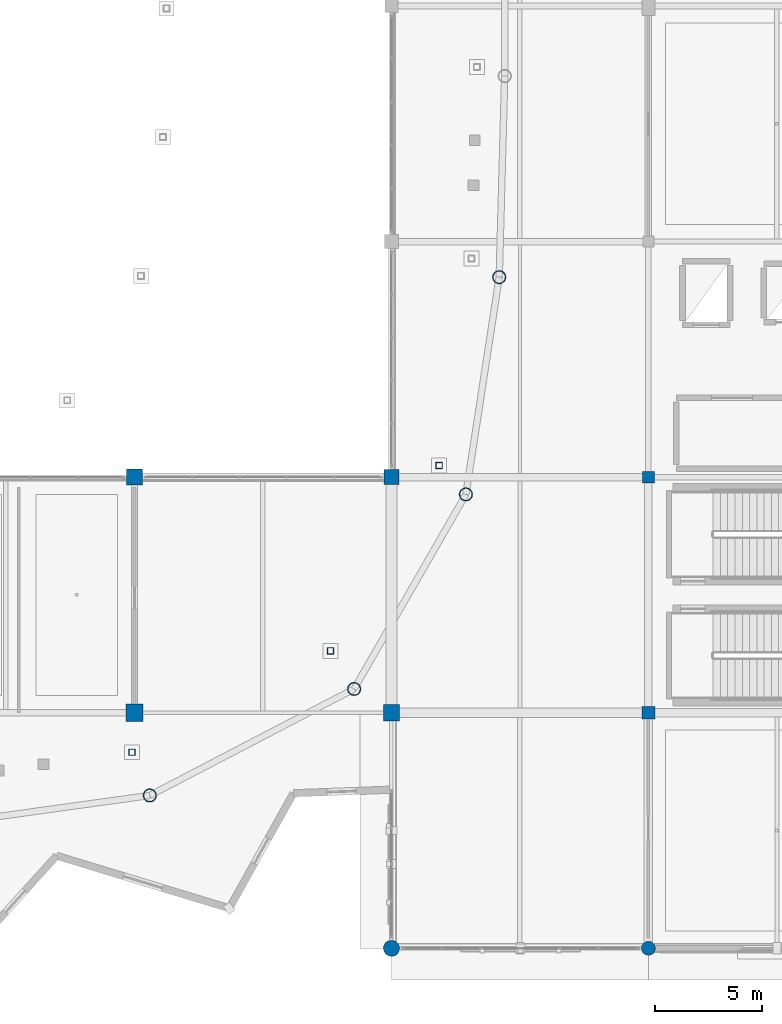
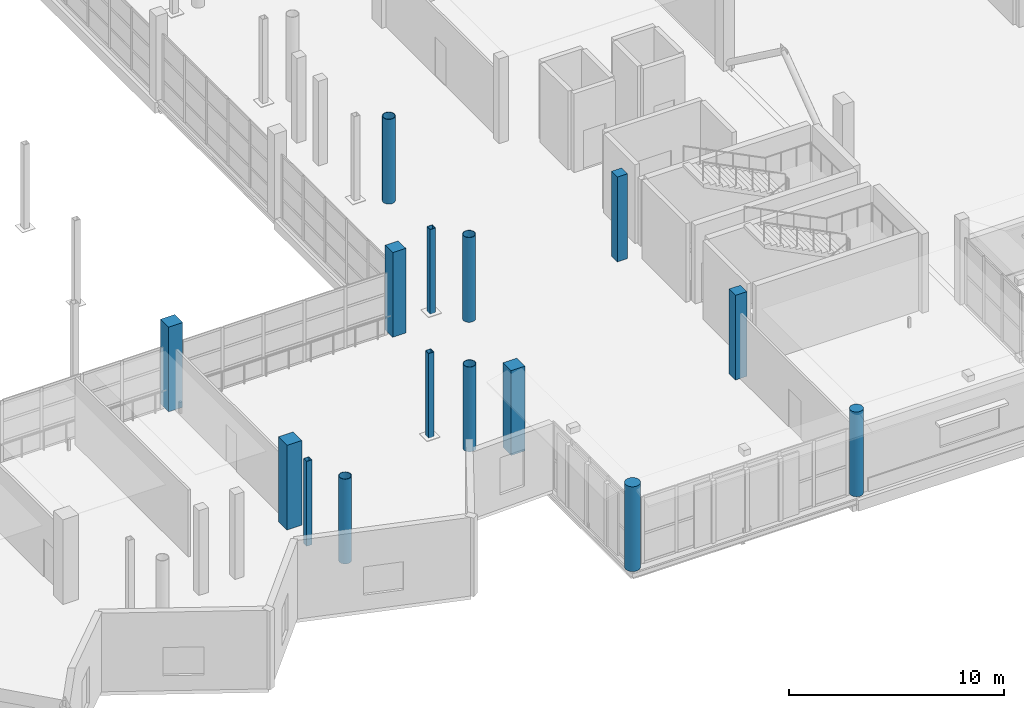
# One storey, part 14 of 143: 15 columns.
"""IFC4 building model written with IfcOpenShell, lengths in metres."""

from ifc_helpers import new_model, si_unit, direction, frame, origin, origin_2d, place, context, subcontext, project, spatial, rectangle, hollow_rectangle, circle, hollow_circle, extrude, material, material_profile, profile_set, type_object, element, save


model = new_model("IFC4")

# Units and contexts
model_context = context("Model", 3, precision=1e-05, world=origin(), true_north=direction((0.0, 1.0)))
body_context = subcontext(model_context, "Body", "Model", "MODEL_VIEW")
ifc_project = project(units=[si_unit("LENGTHUNIT", "METRE"), si_unit("AREAUNIT", "SQUARE_METRE"), si_unit("VOLUMEUNIT", "CUBIC_METRE"), si_unit("PLANEANGLEUNIT", "RADIAN"), si_unit("MASSUNIT", "GRAM", prefix="KILO")], contexts=[model_context])

# Site, building, storey
site_placement = place(None, origin())
site = spatial("IfcSite", under=ifc_project, at=site_placement, CompositionType="ELEMENT")
building_placement = place(site_placement, origin())
building = spatial("IfcBuilding", under=site, at=building_placement, Name="Luwafu Chhajja Arena", CompositionType="ELEMENT")
storey_placement = place(building_placement, frame((0.0, 0.0, 5.39990234375)))
storey = spatial("IfcBuildingStorey", under=building, at=storey_placement, Name="L01", CompositionType="ELEMENT", Elevation=5.39990234375)

# Columns
ifc_material_1 = material(Name="Concrete C35/45", Category="concrete")
ifc_material_profile_1 = material_profile(ifc_material_1, circle(Radius=0.375, at=origin_2d()), Name="RC COL D750")
ifc_profile_set_1 = profile_set([ifc_material_profile_1], Name="Concrete C35/45")
column_type_1 = type_object("IfcColumnType", Name="Charbagh Cloister Pier D750", PredefinedType="COLUMN", material=ifc_profile_set_1)
column_1_placement = place(storey_placement, frame((140.0, 0.0, 0.0), z_axis=(0.0, 0.0, 1.0), x_axis=(1.0, 0.0, 0.0)))
element("IfcColumn", 1, at=column_1_placement, inside=storey, type_object=column_type_1, Name="L01 Grid Column 13/A", PredefinedType="COLUMN", context=body_context, shape_type="SweptSolid", body=[
    extrude(circle(Radius=0.375, at=origin_2d()), origin(), (0.0, 0.0, 1.0), 4.800048828125),
])
ifc_material_profile_2 = material_profile(ifc_material_1, rectangle(XDim=0.800048828125, YDim=0.800048828125, at=origin_2d()), Name="RC 800x800")
ifc_profile_set_2 = profile_set([ifc_material_profile_2], Name="Concrete C35/45")
column_type_2 = type_object("IfcColumnType", Name="Concourse Standard Column RC 800", PredefinedType="COLUMN", material=ifc_profile_set_2)
column_2_placement = place(storey_placement, frame((128.0, 11.0, 0.0), z_axis=(0.0, 0.0, 1.0), x_axis=(1.0, 0.0, 0.0)))
element("IfcColumn", 2, at=column_2_placement, inside=storey, type_object=column_type_2, Name="L01 Grid Column 12/B", PredefinedType="COLUMN", context=body_context, shape_type="SweptSolid", body=[
    extrude(rectangle(XDim=0.800048828125, YDim=0.800048828125, at=origin_2d()), origin(), (0.0, 0.0, 1.0), 4.800048828125),
])
ifc_material_profile_3 = material_profile(ifc_material_1, circle(Radius=0.324951171875, at=origin_2d()), Name="RC COL D650")
ifc_profile_set_3 = profile_set([ifc_material_profile_3], Name="Concrete C35/45")
column_type_3 = type_object("IfcColumnType", Name="Courtyard Arcade Pier D650", PredefinedType="COLUMN", material=ifc_profile_set_3)
column_3_placement = place(storey_placement, frame((152.0, 0.0, 0.0), z_axis=(0.0, 0.0, 1.0), x_axis=(1.0, 0.0, 0.0)))
element("IfcColumn", 3, at=column_3_placement, inside=storey, type_object=column_type_3, Name="L01 Grid Column 14/A", PredefinedType="COLUMN", context=body_context, shape_type="SweptSolid", body=[
    extrude(circle(Radius=0.324951171875, at=origin_2d()), origin(), (0.0, 0.0, 1.0), 4.800048828125),
])
ifc_material_profile_4 = material_profile(ifc_material_1, rectangle(XDim=0.550048828125, YDim=0.550048828125, at=origin_2d()), Name="RC 550x550")
ifc_profile_set_4 = profile_set([ifc_material_profile_4], Name="Concrete C35/45")
column_type_4 = type_object("IfcColumnType", Name="Gallery Column RC 550", PredefinedType="COLUMN", material=ifc_profile_set_4)
column_4_placement = place(storey_placement, frame((152.0, 22.0, 0.0), z_axis=(0.0, 0.0, 1.0), x_axis=(1.0, 0.0, 0.0)))
element("IfcColumn", 4, at=column_4_placement, inside=storey, type_object=column_type_4, Name="L01 Grid Column 14/C", PredefinedType="COLUMN", context=body_context, shape_type="SweptSolid", body=[
    extrude(rectangle(XDim=0.550048828125, YDim=0.550048828125, at=origin_2d()), origin(), (0.0, 0.0, 1.0), 4.800048828125),
])
ifc_material_profile_5 = material_profile(ifc_material_1, rectangle(XDim=0.75, YDim=0.75, at=origin_2d()), Name="RC 750x750")
ifc_profile_set_5 = profile_set([ifc_material_profile_5], Name="Concrete C35/45")
column_type_5 = type_object("IfcColumnType", Name="Hospitality Ring Column RC 750", PredefinedType="COLUMN", material=ifc_profile_set_5)
for number, where, z_axis, x_axis, name in (
    (5, (128.0, 22.0, 0.0), (0.0, 0.0, 1.0), (1.0, 0.0, 0.0), "L01 Grid Column 12/C"),
    (6, (140.0, 11.0, 0.0), (0.0, 0.0, 1.0), (1.0, 0.0, 0.0), "L01 Grid Column 13/B"),
):
    element("IfcColumn", number, at=place(storey_placement, frame(where, z_axis=z_axis, x_axis=x_axis)), inside=storey, type_object=column_type_5, Name=name, PredefinedType="COLUMN", context=body_context, shape_type="SweptSolid", body=[
        extrude(rectangle(XDim=0.75, YDim=0.75, at=origin_2d()), origin(), (0.0, 0.0, 1.0), 4.800048828125),
    ])
ifc_material_profile_6 = material_profile(ifc_material_1, rectangle(XDim=0.60009765625, YDim=0.60009765625, at=origin_2d()), Name="RC 600x600")
ifc_profile_set_6 = profile_set([ifc_material_profile_6], Name="Concrete C35/45")
column_type_6 = type_object("IfcColumnType", Name="Mezzanine Column RC 600", PredefinedType="COLUMN", material=ifc_profile_set_6)
column_5_placement = place(storey_placement, frame((152.0, 11.0, 0.0), z_axis=(0.0, 0.0, 1.0), x_axis=(1.0, 0.0, 0.0)))
element("IfcColumn", 7, at=column_5_placement, inside=storey, type_object=column_type_6, Name="L01 Grid Column 14/B", PredefinedType="COLUMN", context=body_context, shape_type="SweptSolid", body=[
    extrude(rectangle(XDim=0.60009765625, YDim=0.60009765625, at=origin_2d()), origin(), (0.0, 0.0, 1.0), 4.800048828125),
])
ifc_material_2 = material(Name="Steel S355", Category="steel")
ifc_material_profile_7 = material_profile(ifc_material_2, hollow_circle(Radius=0.304931640625, WallThickness=0.02490234375, at=origin_2d()), Name="CHS 610x25")
ifc_profile_set_7 = profile_set([ifc_material_profile_7], Name="Steel S355")
column_type_7 = type_object("IfcColumnType", Name="Steel Bowl Drum Column CHS 610", PredefinedType="COLUMN", material=ifc_profile_set_7)
for number, where, z_axis, x_axis, name in (
    (8, (128.718017578125, 7.13720703125, 0.0), (0.0, 0.0, 1.0), (1.0, 0.0, 0.0), "L01 Bowl Drum Column D28"),
    (9, (138.256103515625, 12.109130859375, 0.0), (0.0, 0.0, 1.0), (1.0, 0.0, 0.0), "L01 Bowl Drum Column D29"),
    (10, (143.47607421875, 21.194091796875, 0.0), (0.0, 0.0, 1.0), (1.0, 0.0, 0.0), "L01 Bowl Drum Column D30"),
    (11, (145.031982421875, 31.3388671875, 0.0), (0.0, 0.0, 1.0), (1.0, 0.0, 0.0), "L01 Bowl Drum Column D31"),
):
    element("IfcColumn", number, at=place(storey_placement, frame(where, z_axis=z_axis, x_axis=x_axis)), inside=storey, type_object=column_type_7, Name=name, PredefinedType="COLUMN", context=body_context, shape_type="SweptSolid", body=[
        extrude(hollow_circle(Radius=0.304931640625, WallThickness=0.02490234375, at=origin_2d()), origin(), (0.0, 0.0, 1.0), 4.800048828125),
    ])
ifc_material_profile_8 = material_profile(ifc_material_2, hollow_rectangle(XDim=0.300048828125, YDim=0.300048828125, WallThickness=0.01611328125, at=origin_2d()), Name="SHS 300x300x16")
ifc_profile_set_8 = profile_set([ifc_material_profile_8], Name="Steel S355")
column_type_8 = type_object("IfcColumnType", Name="Steel Gallery Post SHS 300", PredefinedType="COLUMN", material=ifc_profile_set_8)
for number, where, z_axis, x_axis, name in (
    (12, (127.883544921875, 9.154541015625, 0.0), (0.0, 0.0, 1.0), (1.0, 0.0, 0.0), "L01 Upper Bowl Raker Column UO28"),
    (13, (137.15380859375, 13.8896484375, 0.0), (0.0, 0.0, 1.0), (1.0, 0.0, 0.0), "L01 Upper Bowl Raker Column UO29"),
    (14, (142.227294921875, 22.5419921875, 0.0), (0.0, 0.0, 1.0), (1.0, 0.0, 0.0), "L01 Upper Bowl Raker Column UO30"),
):
    element("IfcColumn", number, at=place(storey_placement, frame(where, z_axis=z_axis, x_axis=x_axis)), inside=storey, type_object=column_type_8, Name=name, PredefinedType="COLUMN", context=body_context, shape_type="SweptSolid", body=[
        extrude(hollow_rectangle(XDim=0.300048828125, YDim=0.300048828125, WallThickness=0.01611328125, at=origin_2d()), origin(), (0.0, 0.0, 1.0), 4.800048828125),
    ])
ifc_material_profile_9 = material_profile(ifc_material_1, rectangle(XDim=0.699951171875, YDim=0.699951171875, at=origin_2d()), Name="RC 700x700")
ifc_profile_set_9 = profile_set([ifc_material_profile_9], Name="Concrete C35/45")
column_type_9 = type_object("IfcColumnType", Name="Wing Frame Column RC 700", PredefinedType="COLUMN", material=ifc_profile_set_9)
column_6_placement = place(storey_placement, frame((140.0, 22.0, 0.0), z_axis=(0.0, 0.0, 1.0), x_axis=(1.0, 0.0, 0.0)))
element("IfcColumn", 15, at=column_6_placement, inside=storey, type_object=column_type_9, Name="L01 Grid Column 13/C", PredefinedType="COLUMN", context=body_context, shape_type="SweptSolid", body=[
    extrude(rectangle(XDim=0.699951171875, YDim=0.699951171875, at=origin_2d()), origin(), (0.0, 0.0, 1.0), 4.800048828125),
])

save(model, "model.ifc")
